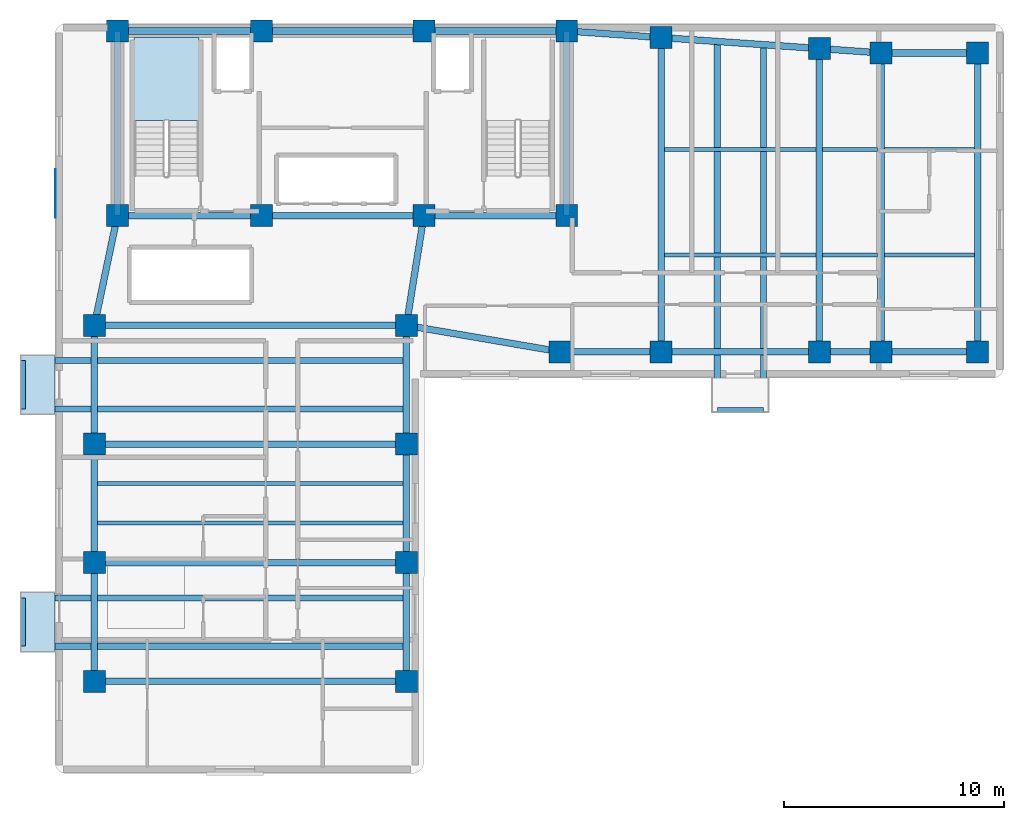
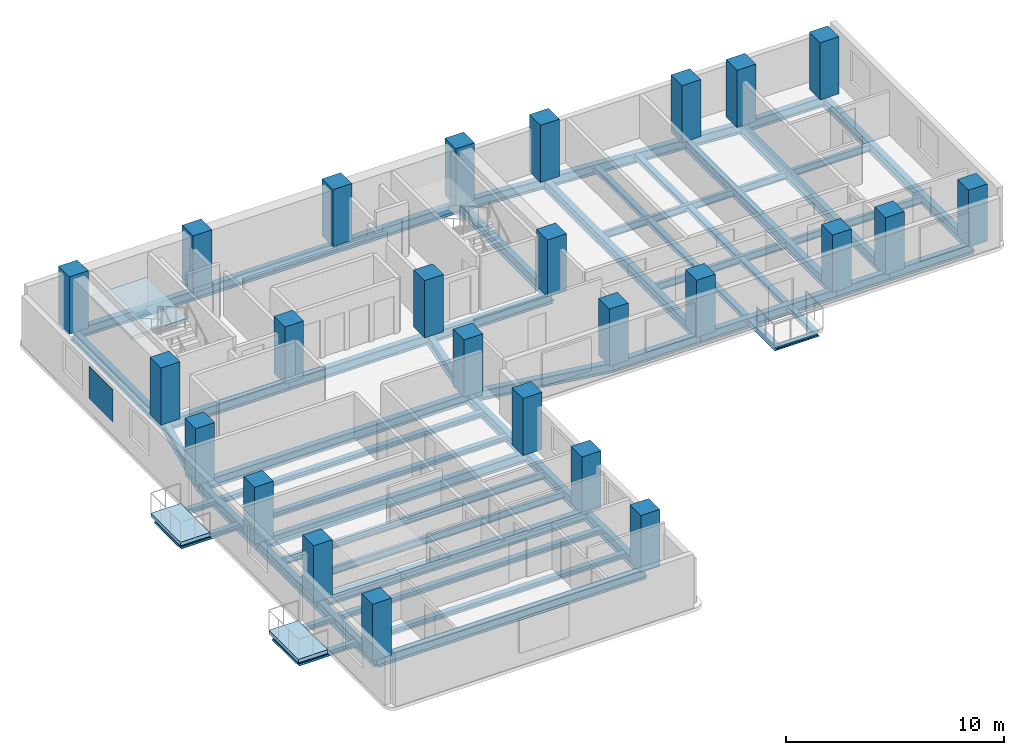
# One storey, part 1 of 7: 50 beams, 25 columns, 3 slabs, 1 plate, 1 element without a shape of its own.
"""IFC4 building model written with IfcOpenShell, lengths in metres."""

from ifc_helpers import new_model, si_unit, direction, frame, origin, origin_2d, place, context, subcontext, project, spatial, polyline, rectangle, i_section, outline, extrude, material, layer, layer_set, material_profile, profile_set, type_object, element, aggregate, save


model = new_model("IFC4")

# Units and contexts
model_context = context("Model", 3, precision=1e-05, world=origin(), true_north=direction((0.0, 1.0)))
body_context = subcontext(model_context, "Body", "Model", "MODEL_VIEW")
ifc_project = project(units=[si_unit("LENGTHUNIT", "METRE"), si_unit("AREAUNIT", "SQUARE_METRE"), si_unit("VOLUMEUNIT", "CUBIC_METRE"), si_unit("PLANEANGLEUNIT", "RADIAN"), si_unit("MASSUNIT", "GRAM", prefix="KILO")], contexts=[model_context])

# Site, building, storey
site_placement = place(None, origin())
site = spatial("IfcSite", under=ifc_project, at=site_placement, CompositionType="ELEMENT")
building_placement = place(site_placement, origin())
building = spatial("IfcBuilding", under=site, at=building_placement, Name="Kuzgunbayir Cultural Tower", CompositionType="ELEMENT")
storey_placement = place(building_placement, frame((0.0, 0.0, 136.199951171875)))
storey = spatial("IfcBuildingStorey", under=building, at=storey_placement, Name="L39", CompositionType="ELEMENT", Elevation=136.199951171875)

# Columns
ifc_material_1 = material(Name="Concrete C50/60", Category="concrete")
ifc_material_profile_1 = material_profile(ifc_material_1, rectangle(XDim=1.0, YDim=1.0, at=origin_2d()), Name="RC 1000x1000")
ifc_profile_set_1 = profile_set([ifc_material_profile_1], Name="Concrete C50/60")
column_type_1 = type_object("IfcColumnType", Name="COL-CORE-1000", PredefinedType="COLUMN", material=ifc_profile_set_1)
for number, where, z_axis, x_axis, name in (
    (1, (6.449951171875, 33.800048828125, 0.0), (0.0, 0.0, 1.0), (1.0, 0.0, 0.0), "L39 T1 Core Boundary Column CC1-1"),
    (2, (13.0, 33.800048828125, 0.0), (0.0, 0.0, 1.0), (1.0, 0.0, 0.0), "L39 T1 Core Boundary Column CC1-2"),
    (3, (20.39990234375, 33.800048828125, 0.0), (0.0, 0.0, 1.0), (1.0, 0.0, 0.0), "L39 T1 Core Boundary Column CC1-3"),
    (4, (26.89990234375, 33.800048828125, 0.0), (0.0, 0.0, 1.0), (1.0, 0.0, 0.0), "L39 T1 Core Boundary Column CC1-4"),
    (5, (6.449951171875, 42.199951171875, 0.0), (0.0, 0.0, 1.0), (1.0, 0.0, 0.0), "L39 T1 Core Boundary Column CC1-5"),
    (6, (13.0, 42.199951171875, 0.0), (0.0, 0.0, 1.0), (1.0, 0.0, 0.0), "L39 T1 Core Boundary Column CC1-6"),
    (7, (20.39990234375, 42.199951171875, 0.0), (0.0, 0.0, 1.0), (1.0, 0.0, 0.0), "L39 T1 Core Boundary Column CC1-7"),
    (8, (26.89990234375, 42.199951171875, 0.0), (0.0, 0.0, 1.0), (1.0, 0.0, 0.0), "L39 T1 Core Boundary Column CC1-8"),
):
    element("IfcColumn", number, at=place(storey_placement, frame(where, z_axis=z_axis, x_axis=x_axis)), inside=storey, type_object=column_type_1, Name=name, PredefinedType="COLUMN", context=body_context, shape_type="SweptSolid", body=[
        extrude(rectangle(XDim=1.0, YDim=1.0, at=origin_2d()), origin(), (0.0, 0.0, 1.0), 3.199951171875),
    ])
ifc_material_profile_2 = material_profile(ifc_material_1, rectangle(XDim=1.0, YDim=1.0, at=origin_2d()), Name="RC 1000x1000")
ifc_profile_set_2 = profile_set([ifc_material_profile_2], Name="Concrete C50/60")
column_type_2 = type_object("IfcColumnType", Name="COL-T1-1000", PredefinedType="COLUMN", material=ifc_profile_set_2)
for number, where, z_axis, x_axis, name in (
    (9, (5.39990234375, 12.60009765625, 0.0), (0.0, 0.0, 1.0), (1.0, 0.0, 0.0), "L39 Tower 1 Wing A Column T1A-W-1"),
    (10, (19.60009765625, 12.60009765625, 0.0), (0.0, 0.0, 1.0), (1.0, 0.0, 0.0), "L39 Tower 1 Wing A Column T1A-E-1"),
    (11, (5.39990234375, 18.0, 0.0), (0.0, 0.0, 1.0), (1.0, 0.0, 0.0), "L39 Tower 1 Wing A Column T1A-W-2"),
    (12, (19.60009765625, 18.0, 0.0), (0.0, 0.0, 1.0), (1.0, 0.0, 0.0), "L39 Tower 1 Wing A Column T1A-E-2"),
    (13, (5.39990234375, 23.39990234375, 0.0), (0.0, 0.0, 1.0), (1.0, 0.0, 0.0), "L39 Tower 1 Wing A Column T1A-W-3"),
    (14, (19.60009765625, 23.39990234375, 0.0), (0.0, 0.0, 1.0), (1.0, 0.0, 0.0), "L39 Tower 1 Wing A Column T1A-E-3"),
    (15, (5.39990234375, 28.800048828125, 0.0), (0.0, 0.0, 1.0), (1.0, 0.0, 0.0), "L39 Tower 1 Wing A Column T1A-W-4"),
    (16, (19.60009765625, 28.800048828125, 0.0), (0.0, 0.0, 1.0), (1.0, 0.0, 0.0), "L39 Tower 1 Wing A Column T1A-E-4"),
    (17, (26.60009765625, 27.60009765625, 0.0), (0.0, 0.0, 1.0), (1.0, 0.0, 0.0), "L39 Tower 1 Wing B Column T1B-1-1"),
    (18, (31.199951171875, 27.60009765625, 0.0), (0.0, 0.0, 1.0), (1.0, 0.0, 0.0), "L39 Tower 1 Wing B Column T1B-2-1"),
    (19, (31.199951171875, 41.89990234375, 0.0), (0.0, 0.0, 1.0), (1.0, 0.0, 0.0), "L39 Tower 1 Wing B Column T1B-2-2"),
    (20, (38.39990234375, 27.60009765625, 0.0), (0.0, 0.0, 1.0), (1.0, 0.0, 0.0), "L39 Tower 1 Wing B Column T1B-3-1"),
    (21, (38.39990234375, 41.39990234375, 0.0), (0.0, 0.0, 1.0), (1.0, 0.0, 0.0), "L39 Tower 1 Wing B Column T1B-3-2"),
    (22, (41.199951171875, 27.60009765625, 0.0), (0.0, 0.0, 1.0), (1.0, 0.0, 0.0), "L39 Tower 1 Wing B Column T1B-4-1"),
    (23, (41.199951171875, 41.199951171875, 0.0), (0.0, 0.0, 1.0), (1.0, 0.0, 0.0), "L39 Tower 1 Wing B Column T1B-4-2"),
    (24, (45.60009765625, 27.60009765625, 0.0), (0.0, 0.0, 1.0), (1.0, 0.0, 0.0), "L39 Tower 1 Wing B Column T1B-5-1"),
    (25, (45.60009765625, 41.199951171875, 0.0), (0.0, 0.0, 1.0), (1.0, 0.0, 0.0), "L39 Tower 1 Wing B Column T1B-5-2"),
):
    element("IfcColumn", number, at=place(storey_placement, frame(where, z_axis=z_axis, x_axis=x_axis)), inside=storey, type_object=column_type_2, Name=name, PredefinedType="COLUMN", context=body_context, shape_type="SweptSolid", body=[
        extrude(rectangle(XDim=1.0, YDim=1.0, at=origin_2d()), origin(), (0.0, 0.0, 1.0), 3.199951171875),
    ])

# Beams
ifc_material_2 = material(Name="Steel S355J2", Category="steel")
ifc_material_profile_3 = material_profile(ifc_material_2, i_section(OverallWidth=0.280029296875, OverallDepth=0.280029296875, WebThickness=0.010498046875, FlangeThickness=0.01806640625, FilletRadius=0.02392578125, at=origin_2d()), Name="HEB 280")
ifc_profile_set_3 = profile_set([ifc_material_profile_3], Name="Steel S355J2")
beam_type_1 = type_object("IfcBeamType", Name="BM-BAL-HEB280", PredefinedType="BEAM", material=ifc_profile_set_3)
for number, where, z_axis, x_axis, name in (
    (26, (2.159912109375, 14.199951171875, -0.33984375), (1.0, 0.0, 0.0), (0.0, 1.0, 0.0), "L39 Balcony Outrigger Beam BAL-L39-WA1.1"),
    (27, (2.159912109375, 16.39990234375, -0.33984375), (1.0, 0.0, 0.0), (0.0, 1.0, 0.0), "L39 Balcony Outrigger Beam BAL-L39-WA1.2"),
    (28, (2.159912109375, 25.0, -0.33984375), (1.0, 0.0, 0.0), (0.0, 1.0, 0.0), "L39 Balcony Outrigger Beam BAL-L39-WA3.1"),
    (29, (2.159912109375, 27.199951171875, -0.33984375), (1.0, 0.0, 0.0), (0.0, 1.0, 0.0), "L39 Balcony Outrigger Beam BAL-L39-WA3.2"),
):
    element("IfcBeam", number, at=place(storey_placement, frame(where, z_axis=z_axis, x_axis=x_axis)), inside=storey, type_object=beam_type_1, Name=name, PredefinedType="BEAM", context=body_context, shape_type="SweptSolid", body=[
        extrude(i_section(OverallWidth=0.280029296875, OverallDepth=0.280029296875, WebThickness=0.010498046875, FlangeThickness=0.01806640625, FilletRadius=0.02392578125, at=origin_2d()), origin(), (0.0, 0.0, 1.0), 17.440185546875),
    ])
beam_1_placement = place(storey_placement, frame((33.75, 24.9599609375, -0.33984375), z_axis=(0.0, 1.0, 0.0), x_axis=(-1.0, 0.0, 0.0)))
element("IfcBeam", 30, at=beam_1_placement, inside=storey, type_object=beam_type_1, Name="L39 Balcony Outrigger Beam BAL-L39-WB2.1", PredefinedType="BEAM", context=body_context, shape_type="SweptSolid", body=[
    extrude(i_section(OverallWidth=0.280029296875, OverallDepth=0.280029296875, WebThickness=0.010498046875, FlangeThickness=0.01806640625, FilletRadius=0.02392578125, at=origin_2d()), origin(), (0.0, 0.0, 1.0), 16.760009765625),
])
beam_2_placement = place(storey_placement, frame((35.85009765625, 24.9599609375, -0.33984375), z_axis=(0.0, 1.0, 0.0), x_axis=(-1.0, 0.0, 0.0)))
element("IfcBeam", 31, at=beam_2_placement, inside=storey, type_object=beam_type_1, Name="L39 Balcony Outrigger Beam BAL-L39-WB2.2", PredefinedType="BEAM", context=body_context, shape_type="SweptSolid", body=[
    extrude(i_section(OverallWidth=0.280029296875, OverallDepth=0.280029296875, WebThickness=0.010498046875, FlangeThickness=0.01806640625, FilletRadius=0.02392578125, at=origin_2d()), origin(), (0.0, 0.0, 1.0), 16.6201171875),
])
ifc_material_profile_4 = material_profile(ifc_material_2, i_section(OverallWidth=0.199951171875, OverallDepth=0.199951171875, WebThickness=0.009033203125, FlangeThickness=0.014892578125, FilletRadius=0.01806640625, at=origin_2d()), Name="HEB 200")
ifc_profile_set_4 = profile_set([ifc_material_profile_4], Name="Steel S355J2")
beam_type_2 = type_object("IfcBeamType", Name="BM-CAN-HEB200", PredefinedType="BEAM", material=ifc_profile_set_4)
for number, where, z_axis, x_axis, name in (
    (32, (2.159912109375, 14.199951171875, -0.300048828125), (0.0, 1.0, 0.0), (-1.0, 0.0, 0.0), "L39 Balcony Edge Header BAL-L39-WA1"),
    (33, (2.159912109375, 25.0, -0.300048828125), (0.0, 1.0, 0.0), (-1.0, 0.0, 0.0), "L39 Balcony Edge Header BAL-L39-WA3"),
):
    element("IfcBeam", number, at=place(storey_placement, frame(where, z_axis=z_axis, x_axis=x_axis)), inside=storey, type_object=beam_type_2, Name=name, PredefinedType="BEAM", context=body_context, shape_type="SweptSolid", body=[
        extrude(i_section(OverallWidth=0.199951171875, OverallDepth=0.199951171875, WebThickness=0.009033203125, FlangeThickness=0.014892578125, FilletRadius=0.01806640625, at=origin_2d()), origin(), (0.0, 0.0, 1.0), 2.199951171875),
    ])
beam_3_placement = place(storey_placement, frame((33.75, 24.9599609375, -0.300048828125), z_axis=(1.0, 0.0, 0.0), x_axis=(0.0, 1.0, 0.0)))
element("IfcBeam", 34, at=beam_3_placement, inside=storey, type_object=beam_type_2, Name="L39 Balcony Edge Header BAL-L39-WB2", PredefinedType="BEAM", context=body_context, shape_type="SweptSolid", body=[
    extrude(i_section(OverallWidth=0.199951171875, OverallDepth=0.199951171875, WebThickness=0.009033203125, FlangeThickness=0.014892578125, FilletRadius=0.01806640625, at=origin_2d()), origin(), (0.0, 0.0, 1.0), 2.10009765625),
])
ifc_material_profile_5 = material_profile(ifc_material_2, i_section(OverallWidth=0.300048828125, OverallDepth=0.550048828125, WebThickness=0.014892578125, FlangeThickness=0.029052734375, FilletRadius=0.027099609375, at=origin_2d()), Name="HEB 550")
ifc_profile_set_5 = profile_set([ifc_material_profile_5], Name="Steel S355J2")
beam_type_3 = type_object("IfcBeamType", Name="BM-EXT-HEB550", PredefinedType="BEAM", material=ifc_profile_set_5)
for number, where, z_axis, x_axis, name in (
    (35, (5.39990234375, 12.60009765625, -0.449951171875), (0.0, 1.0, 0.0), (-1.0, 0.0, 0.0), "L39 Wing A West Girder 1"),
    (36, (19.60009765625, 12.60009765625, -0.449951171875), (0.0, 1.0, 0.0), (-1.0, 0.0, 0.0), "L39 Wing A East Girder 1"),
    (37, (5.39990234375, 18.0, -0.449951171875), (0.0, 1.0, 0.0), (-1.0, 0.0, 0.0), "L39 Wing A West Girder 2"),
    (38, (19.60009765625, 18.0, -0.449951171875), (0.0, 1.0, 0.0), (-1.0, 0.0, 0.0), "L39 Wing A East Girder 2"),
):
    element("IfcBeam", number, at=place(storey_placement, frame(where, z_axis=z_axis, x_axis=x_axis)), inside=storey, type_object=beam_type_3, Name=name, PredefinedType="BEAM", context=body_context, shape_type="SweptSolid", body=[
        extrude(i_section(OverallWidth=0.300048828125, OverallDepth=0.550048828125, WebThickness=0.014892578125, FlangeThickness=0.029052734375, FilletRadius=0.027099609375, at=origin_2d()), origin(), (0.0, 0.0, 1.0), 5.39990234375),
    ])
for number, where, z_axis, x_axis, name in (
    (39, (5.39990234375, 23.39990234375, -0.449951171875), (0.0, 1.0, 0.0), (-1.0, 0.0, 0.0), "L39 Wing A West Girder 3"),
    (40, (19.60009765625, 23.39990234375, -0.449951171875), (0.0, 1.0, 0.0), (-1.0, 0.0, 0.0), "L39 Wing A East Girder 3"),
):
    element("IfcBeam", number, at=place(storey_placement, frame(where, z_axis=z_axis, x_axis=x_axis)), inside=storey, type_object=beam_type_3, Name=name, PredefinedType="BEAM", context=body_context, shape_type="SweptSolid", body=[
        extrude(i_section(OverallWidth=0.300048828125, OverallDepth=0.550048828125, WebThickness=0.014892578125, FlangeThickness=0.029052734375, FilletRadius=0.027099609375, at=origin_2d()), origin(), (0.0, 0.0, 1.0), 5.400146484375),
    ])
beam_4_placement = place(storey_placement, frame((26.60009765625, 27.60009765625, -0.449951171875), z_axis=(1.0, 0.0, 0.0), x_axis=(0.0, 1.0, 0.0)))
element("IfcBeam", 41, at=beam_4_placement, inside=storey, type_object=beam_type_3, Name="L39 Wing B South Girder 1", PredefinedType="BEAM", context=body_context, shape_type="SweptSolid", body=[
    extrude(i_section(OverallWidth=0.300048828125, OverallDepth=0.550048828125, WebThickness=0.014892578125, FlangeThickness=0.029052734375, FilletRadius=0.027099609375, at=origin_2d()), origin(), (0.0, 0.0, 1.0), 4.599853515625),
])
beam_5_placement = place(storey_placement, frame((26.89990234375, 42.199951171875, -0.449951171875), z_axis=(0.997574369175, -0.069608749203, 0.0), x_axis=(0.069608749203, 0.997574369175, 0.0)))
element("IfcBeam", 42, at=beam_5_placement, inside=storey, type_object=beam_type_3, Name="L39 Wing B North Girder 1", PredefinedType="BEAM", context=body_context, shape_type="SweptSolid", body=[
    extrude(i_section(OverallWidth=0.300048828125, OverallDepth=0.550048828125, WebThickness=0.014892578125, FlangeThickness=0.029052734375, FilletRadius=0.027099609375, at=origin_2d()), origin(), (0.0, 0.0, 1.0), 4.310546875),
])
beam_6_placement = place(storey_placement, frame((31.199951171875, 27.60009765625, -0.449951171875), z_axis=(1.0, 0.0, 0.0), x_axis=(0.0, 1.0, 0.0)))
element("IfcBeam", 43, at=beam_6_placement, inside=storey, type_object=beam_type_3, Name="L39 Wing B South Girder 2", PredefinedType="BEAM", context=body_context, shape_type="SweptSolid", body=[
    extrude(i_section(OverallWidth=0.300048828125, OverallDepth=0.550048828125, WebThickness=0.014892578125, FlangeThickness=0.029052734375, FilletRadius=0.027099609375, at=origin_2d()), origin(), (0.0, 0.0, 1.0), 7.199951171875),
])
beam_7_placement = place(storey_placement, frame((31.199951171875, 41.89990234375, -0.449951171875), z_axis=(0.997597388498, -0.069278066245, 0.0), x_axis=(0.069278066245, 0.997597388498, 0.0)))
element("IfcBeam", 44, at=beam_7_placement, inside=storey, type_object=beam_type_3, Name="L39 Wing B North Girder 2", PredefinedType="BEAM", context=body_context, shape_type="SweptSolid", body=[
    extrude(i_section(OverallWidth=0.300048828125, OverallDepth=0.550048828125, WebThickness=0.014892578125, FlangeThickness=0.029052734375, FilletRadius=0.027099609375, at=origin_2d()), origin(), (0.0, 0.0, 1.0), 7.21728515625),
])
beam_8_placement = place(storey_placement, frame((38.39990234375, 27.60009765625, -0.449951171875), z_axis=(1.0, 0.0, 0.0), x_axis=(0.0, 1.0, 0.0)))
element("IfcBeam", 45, at=beam_8_placement, inside=storey, type_object=beam_type_3, Name="L39 Wing B South Girder 3", PredefinedType="BEAM", context=body_context, shape_type="SweptSolid", body=[
    extrude(i_section(OverallWidth=0.300048828125, OverallDepth=0.550048828125, WebThickness=0.014892578125, FlangeThickness=0.029052734375, FilletRadius=0.027099609375, at=origin_2d()), origin(), (0.0, 0.0, 1.0), 2.800048828125),
])
beam_9_placement = place(storey_placement, frame((38.39990234375, 41.39990234375, -0.449951171875), z_axis=(0.997460024076, -0.071228508128, 0.0), x_axis=(0.071228508128, 0.997460024076, 0.0)))
element("IfcBeam", 46, at=beam_9_placement, inside=storey, type_object=beam_type_3, Name="L39 Wing B North Girder 3", PredefinedType="BEAM", context=body_context, shape_type="SweptSolid", body=[
    extrude(i_section(OverallWidth=0.300048828125, OverallDepth=0.550048828125, WebThickness=0.014892578125, FlangeThickness=0.029052734375, FilletRadius=0.027099609375, at=origin_2d()), origin(), (0.0, 0.0, 1.0), 2.80712890625),
])
for number, where, z_axis, x_axis, name in (
    (47, (41.199951171875, 27.60009765625, -0.449951171875), (1.0, 0.0, 0.0), (0.0, 1.0, 0.0), "L39 Wing B South Girder 4"),
    (48, (41.199951171875, 41.199951171875, -0.449951171875), (1.0, 0.0, 0.0), (0.0, 1.0, 0.0), "L39 Wing B North Girder 4"),
):
    element("IfcBeam", number, at=place(storey_placement, frame(where, z_axis=z_axis, x_axis=x_axis)), inside=storey, type_object=beam_type_3, Name=name, PredefinedType="BEAM", context=body_context, shape_type="SweptSolid", body=[
        extrude(i_section(OverallWidth=0.300048828125, OverallDepth=0.550048828125, WebThickness=0.014892578125, FlangeThickness=0.029052734375, FilletRadius=0.027099609375, at=origin_2d()), origin(), (0.0, 0.0, 1.0), 4.400146484375),
    ])
ifc_material_profile_6 = material_profile(ifc_material_2, i_section(OverallWidth=0.300048828125, OverallDepth=0.550048828125, WebThickness=0.014892578125, FlangeThickness=0.029052734375, FilletRadius=0.027099609375, at=origin_2d()), Name="HEB 550")
ifc_profile_set_6 = profile_set([ifc_material_profile_6], Name="Steel S355J2")
beam_type_4 = type_object("IfcBeamType", Name="BM-GIR-HEB550", PredefinedType="BEAM", material=ifc_profile_set_6)
beam_10_placement = place(storey_placement, frame((6.449951171875, 33.800048828125, -0.449951171875), z_axis=(1.0, 0.0, 0.0), x_axis=(0.0, 1.0, 0.0)))
element("IfcBeam", 49, at=beam_10_placement, inside=storey, type_object=beam_type_4, Name="L39 Core South Girder 1", PredefinedType="BEAM", context=body_context, shape_type="SweptSolid", body=[
    extrude(i_section(OverallWidth=0.300048828125, OverallDepth=0.550048828125, WebThickness=0.014892578125, FlangeThickness=0.029052734375, FilletRadius=0.027099609375, at=origin_2d()), origin(), (0.0, 0.0, 1.0), 6.550048828125),
])
beam_11_placement = place(storey_placement, frame((13.0, 33.800048828125, -0.449951171875), z_axis=(1.0, 0.0, 0.0), x_axis=(0.0, 1.0, 0.0)))
element("IfcBeam", 50, at=beam_11_placement, inside=storey, type_object=beam_type_4, Name="L39 Core South Girder 2", PredefinedType="BEAM", context=body_context, shape_type="SweptSolid", body=[
    extrude(i_section(OverallWidth=0.300048828125, OverallDepth=0.550048828125, WebThickness=0.014892578125, FlangeThickness=0.029052734375, FilletRadius=0.027099609375, at=origin_2d()), origin(), (0.0, 0.0, 1.0), 7.39990234375),
])
beam_12_placement = place(storey_placement, frame((20.39990234375, 33.800048828125, -0.449951171875), z_axis=(1.0, 0.0, 0.0), x_axis=(0.0, 1.0, 0.0)))
element("IfcBeam", 51, at=beam_12_placement, inside=storey, type_object=beam_type_4, Name="L39 Core South Girder 3", PredefinedType="BEAM", context=body_context, shape_type="SweptSolid", body=[
    extrude(i_section(OverallWidth=0.300048828125, OverallDepth=0.550048828125, WebThickness=0.014892578125, FlangeThickness=0.029052734375, FilletRadius=0.027099609375, at=origin_2d()), origin(), (0.0, 0.0, 1.0), 6.5),
])
beam_13_placement = place(storey_placement, frame((6.449951171875, 42.199951171875, -0.449951171875), z_axis=(1.0, 0.0, 0.0), x_axis=(0.0, 1.0, 0.0)))
element("IfcBeam", 52, at=beam_13_placement, inside=storey, type_object=beam_type_4, Name="L39 Core North Girder 1", PredefinedType="BEAM", context=body_context, shape_type="SweptSolid", body=[
    extrude(i_section(OverallWidth=0.300048828125, OverallDepth=0.550048828125, WebThickness=0.014892578125, FlangeThickness=0.029052734375, FilletRadius=0.027099609375, at=origin_2d()), origin(), (0.0, 0.0, 1.0), 6.550048828125),
])
beam_14_placement = place(storey_placement, frame((13.0, 42.199951171875, -0.449951171875), z_axis=(1.0, 0.0, 0.0), x_axis=(0.0, 1.0, 0.0)))
element("IfcBeam", 53, at=beam_14_placement, inside=storey, type_object=beam_type_4, Name="L39 Core North Girder 2", PredefinedType="BEAM", context=body_context, shape_type="SweptSolid", body=[
    extrude(i_section(OverallWidth=0.300048828125, OverallDepth=0.550048828125, WebThickness=0.014892578125, FlangeThickness=0.029052734375, FilletRadius=0.027099609375, at=origin_2d()), origin(), (0.0, 0.0, 1.0), 7.39990234375),
])
beam_15_placement = place(storey_placement, frame((20.39990234375, 42.199951171875, -0.449951171875), z_axis=(1.0, 0.0, 0.0), x_axis=(0.0, 1.0, 0.0)))
element("IfcBeam", 54, at=beam_15_placement, inside=storey, type_object=beam_type_4, Name="L39 Core North Girder 3", PredefinedType="BEAM", context=body_context, shape_type="SweptSolid", body=[
    extrude(i_section(OverallWidth=0.300048828125, OverallDepth=0.550048828125, WebThickness=0.014892578125, FlangeThickness=0.029052734375, FilletRadius=0.027099609375, at=origin_2d()), origin(), (0.0, 0.0, 1.0), 6.5),
])
for number, where, z_axis, x_axis, name in (
    (55, (6.449951171875, 33.800048828125, -0.449951171875), (0.0, 1.0, 0.0), (-1.0, 0.0, 0.0), "L39 Core West Edge Girder"),
    (56, (26.89990234375, 33.800048828125, -0.449951171875), (0.0, 1.0, 0.0), (-1.0, 0.0, 0.0), "L39 Core East Edge Girder"),
):
    element("IfcBeam", number, at=place(storey_placement, frame(where, z_axis=z_axis, x_axis=x_axis)), inside=storey, type_object=beam_type_4, Name=name, PredefinedType="BEAM", context=body_context, shape_type="SweptSolid", body=[
        extrude(i_section(OverallWidth=0.300048828125, OverallDepth=0.550048828125, WebThickness=0.014892578125, FlangeThickness=0.029052734375, FilletRadius=0.027099609375, at=origin_2d()), origin(), (0.0, 0.0, 1.0), 8.39990234375),
    ])
for number, where, z_axis, x_axis, name in (
    (57, (5.39990234375, 12.60009765625, -0.449951171875), (1.0, 0.0, 0.0), (0.0, 1.0, 0.0), "L39 Wing A Transverse Girder 1"),
    (58, (5.39990234375, 18.0, -0.449951171875), (1.0, 0.0, 0.0), (0.0, 1.0, 0.0), "L39 Wing A Transverse Girder 2"),
    (59, (5.39990234375, 23.39990234375, -0.449951171875), (1.0, 0.0, 0.0), (0.0, 1.0, 0.0), "L39 Wing A Transverse Girder 3"),
    (60, (5.39990234375, 28.800048828125, -0.449951171875), (1.0, 0.0, 0.0), (0.0, 1.0, 0.0), "L39 Wing A Transverse Girder 4"),
):
    element("IfcBeam", number, at=place(storey_placement, frame(where, z_axis=z_axis, x_axis=x_axis)), inside=storey, type_object=beam_type_4, Name=name, PredefinedType="BEAM", context=body_context, shape_type="SweptSolid", body=[
        extrude(i_section(OverallWidth=0.300048828125, OverallDepth=0.550048828125, WebThickness=0.014892578125, FlangeThickness=0.029052734375, FilletRadius=0.027099609375, at=origin_2d()), origin(), (0.0, 0.0, 1.0), 14.2001953125),
    ])
beam_16_placement = place(storey_placement, frame((5.39990234375, 28.800048828125, -0.449951171875), z_axis=(0.205526387753, 0.978651574329, 0.0), x_axis=(-0.978651574329, 0.205526387753, 0.0)))
element("IfcBeam", 61, at=beam_16_placement, inside=storey, type_object=beam_type_4, Name="L39 Wing A West Core Floor Girder", PredefinedType="BEAM", context=body_context, shape_type="SweptSolid", body=[
    extrude(i_section(OverallWidth=0.300048828125, OverallDepth=0.550048828125, WebThickness=0.014892578125, FlangeThickness=0.029052734375, FilletRadius=0.027099609375, at=origin_2d()), origin(), (0.0, 0.0, 1.0), 5.109130859375),
])
beam_17_placement = place(storey_placement, frame((19.60009765625, 28.800048828125, -0.449951171875), z_axis=(0.157952891656, 0.987446648694, 0.0), x_axis=(-0.987446648694, 0.157952891656, 0.0)))
element("IfcBeam", 62, at=beam_17_placement, inside=storey, type_object=beam_type_4, Name="L39 Wing A East Core Floor Girder", PredefinedType="BEAM", context=body_context, shape_type="SweptSolid", body=[
    extrude(i_section(OverallWidth=0.300048828125, OverallDepth=0.550048828125, WebThickness=0.014892578125, FlangeThickness=0.029052734375, FilletRadius=0.027099609375, at=origin_2d()), origin(), (0.0, 0.0, 1.0), 5.0634765625),
])
beam_18_placement = place(storey_placement, frame((31.199951171875, 27.60009765625, -0.449951171875), z_axis=(0.0, 1.0, 0.0), x_axis=(-1.0, 0.0, 0.0)))
element("IfcBeam", 63, at=beam_18_placement, inside=storey, type_object=beam_type_4, Name="L39 Wing B Cross Girder 31", PredefinedType="BEAM", context=body_context, shape_type="SweptSolid", body=[
    extrude(i_section(OverallWidth=0.300048828125, OverallDepth=0.550048828125, WebThickness=0.014892578125, FlangeThickness=0.029052734375, FilletRadius=0.027099609375, at=origin_2d()), origin(), (0.0, 0.0, 1.0), 14.2998046875),
])
beam_19_placement = place(storey_placement, frame((38.39990234375, 27.60009765625, -0.449951171875), z_axis=(0.0, 1.0, 0.0), x_axis=(-1.0, 0.0, 0.0)))
element("IfcBeam", 64, at=beam_19_placement, inside=storey, type_object=beam_type_4, Name="L39 Wing B Cross Girder 38", PredefinedType="BEAM", context=body_context, shape_type="SweptSolid", body=[
    extrude(i_section(OverallWidth=0.300048828125, OverallDepth=0.550048828125, WebThickness=0.014892578125, FlangeThickness=0.029052734375, FilletRadius=0.027099609375, at=origin_2d()), origin(), (0.0, 0.0, 1.0), 13.7998046875),
])
for number, where, z_axis, x_axis, name in (
    (65, (41.199951171875, 27.60009765625, -0.449951171875), (0.0, 1.0, 0.0), (-1.0, 0.0, 0.0), "L39 Wing B Cross Girder 41"),
    (66, (45.60009765625, 27.60009765625, -0.449951171875), (0.0, 1.0, 0.0), (-1.0, 0.0, 0.0), "L39 Wing B Cross Girder 45"),
):
    element("IfcBeam", number, at=place(storey_placement, frame(where, z_axis=z_axis, x_axis=x_axis)), inside=storey, type_object=beam_type_4, Name=name, PredefinedType="BEAM", context=body_context, shape_type="SweptSolid", body=[
        extrude(i_section(OverallWidth=0.300048828125, OverallDepth=0.550048828125, WebThickness=0.014892578125, FlangeThickness=0.029052734375, FilletRadius=0.027099609375, at=origin_2d()), origin(), (0.0, 0.0, 1.0), 13.599853515625),
    ])
beam_20_placement = place(storey_placement, frame((19.60009765625, 28.800048828125, -0.449951171875), z_axis=(0.985623399742, -0.168957136221, 0.0), x_axis=(0.168957136221, 0.985623399742, 0.0)))
element("IfcBeam", 67, at=beam_20_placement, inside=storey, type_object=beam_type_4, Name="L39 Wing B Waist Tie Girder", PredefinedType="BEAM", context=body_context, shape_type="SweptSolid", body=[
    extrude(i_section(OverallWidth=0.300048828125, OverallDepth=0.550048828125, WebThickness=0.014892578125, FlangeThickness=0.029052734375, FilletRadius=0.027099609375, at=origin_2d()), origin(), (0.0, 0.0, 1.0), 7.10205078125),
])
ifc_material_profile_7 = material_profile(ifc_material_2, i_section(OverallWidth=0.179931640625, OverallDepth=0.39990234375, WebThickness=0.008544921875, FlangeThickness=0.013427734375, FilletRadius=0.02099609375, at=origin_2d()), Name="IPE 400")
ifc_profile_set_7 = profile_set([ifc_material_profile_7], Name="Steel S355J2")
beam_type_5 = type_object("IfcBeamType", Name="BM-JST-IPE400", PredefinedType="JOIST", material=ifc_profile_set_7)
for number, where, z_axis, x_axis, name in (
    (68, (5.550048828125, 19.800048828125, -0.3798828125), (1.0, 0.0, 0.0), (0.0, 1.0, 0.0), "L39 Wing A Secondary Joist 3"),
    (69, (5.550048828125, 21.60009765625, -0.3798828125), (1.0, 0.0, 0.0), (0.0, 1.0, 0.0), "L39 Wing A Secondary Joist 4"),
):
    element("IfcBeam", number, at=place(storey_placement, frame(where, z_axis=z_axis, x_axis=x_axis)), inside=storey, type_object=beam_type_5, Name=name, PredefinedType="JOIST", context=body_context, shape_type="SweptSolid", body=[
        extrude(i_section(OverallWidth=0.179931640625, OverallDepth=0.39990234375, WebThickness=0.008544921875, FlangeThickness=0.013427734375, FilletRadius=0.02099609375, at=origin_2d()), origin(), (0.0, 0.0, 1.0), 13.89990234375),
    ])
for number, where, z_axis, x_axis, name in (
    (70, (31.35009765625, 32.0, -0.3798828125), (1.0, 0.0, 0.0), (0.0, 1.0, 0.0), "L39 Wing B Secondary Joist 1.1"),
    (71, (31.35009765625, 36.800048828125, -0.3798828125), (1.0, 0.0, 0.0), (0.0, 1.0, 0.0), "L39 Wing B Secondary Joist 1.2"),
):
    element("IfcBeam", number, at=place(storey_placement, frame(where, z_axis=z_axis, x_axis=x_axis)), inside=storey, type_object=beam_type_5, Name=name, PredefinedType="JOIST", context=body_context, shape_type="SweptSolid", body=[
        extrude(i_section(OverallWidth=0.179931640625, OverallDepth=0.39990234375, WebThickness=0.008544921875, FlangeThickness=0.013427734375, FilletRadius=0.02099609375, at=origin_2d()), origin(), (0.0, 0.0, 1.0), 6.89990234375),
    ])
for number, where, z_axis, x_axis, name in (
    (72, (38.550048828125, 32.0, -0.3798828125), (1.0, 0.0, 0.0), (0.0, 1.0, 0.0), "L39 Wing B Secondary Joist 2.1"),
    (73, (38.550048828125, 36.800048828125, -0.3798828125), (1.0, 0.0, 0.0), (0.0, 1.0, 0.0), "L39 Wing B Secondary Joist 2.2"),
):
    element("IfcBeam", number, at=place(storey_placement, frame(where, z_axis=z_axis, x_axis=x_axis)), inside=storey, type_object=beam_type_5, Name=name, PredefinedType="JOIST", context=body_context, shape_type="SweptSolid", body=[
        extrude(i_section(OverallWidth=0.179931640625, OverallDepth=0.39990234375, WebThickness=0.008544921875, FlangeThickness=0.013427734375, FilletRadius=0.02099609375, at=origin_2d()), origin(), (0.0, 0.0, 1.0), 2.5),
    ])
for number, where, z_axis, x_axis, name in (
    (74, (41.35009765625, 32.0, -0.3798828125), (1.0, 0.0, 0.0), (0.0, 1.0, 0.0), "L39 Wing B Secondary Joist 3.1"),
    (75, (41.35009765625, 36.800048828125, -0.3798828125), (1.0, 0.0, 0.0), (0.0, 1.0, 0.0), "L39 Wing B Secondary Joist 3.2"),
):
    element("IfcBeam", number, at=place(storey_placement, frame(where, z_axis=z_axis, x_axis=x_axis)), inside=storey, type_object=beam_type_5, Name=name, PredefinedType="JOIST", context=body_context, shape_type="SweptSolid", body=[
        extrude(i_section(OverallWidth=0.179931640625, OverallDepth=0.39990234375, WebThickness=0.008544921875, FlangeThickness=0.013427734375, FilletRadius=0.02099609375, at=origin_2d()), origin(), (0.0, 0.0, 1.0), 4.099853515625),
    ])

# Plate
ifc_material_3 = material(Name="Perforated Bronze-Anodised Aluminium", Category="aluminium")
ifc_layer_1 = layer(ifc_material_3, 0.02392578125)
ifc_layer_set_1 = layer_set([ifc_layer_1], Name="Perforated Bronze-Anodised Aluminium")
plate_type = type_object("IfcPlateType", Name="PLT-SOLAR-SCREEN-14", PredefinedType="SHEET", material=ifc_layer_set_1)
plate_placement = place(storey_placement, frame((3.639892578125, 34.800048828125, 0.75), z_axis=(0.0, 0.0, 1.0), x_axis=(1.0, 0.0, 0.0)))
element("IfcPlate", 76, at=plate_placement, inside=storey, type_object=plate_type, Name="L39 Tower 1 Perforated Ceramic Solar Screen Panel", PredefinedType="SHEET", context=body_context, shape_type="SweptSolid", body=[
    extrude(rectangle(XDim=0.02392578125, YDim=2.199951171875, at=origin_2d()), origin(), (0.0, 0.0, 1.0), 1.800048828125),
])

# Slabs
ifc_material_4 = material(Name="Concrete C40/50", Category="concrete")
ifc_layer_2 = layer(ifc_material_4, 0.199951171875)
ifc_layer_set_2 = layer_set([ifc_layer_2], Name="Concrete C40/50")
slab_type_1 = type_object("IfcSlabType", Name="SLB-BAL-STONE", PredefinedType="FLOOR", material=ifc_layer_set_2)
slab_1_placement = place(storey_placement, frame((0.0, 0.0, -0.199951171875)))
element("IfcSlab", 77, at=slab_1_placement, inside=storey, type_object=slab_type_1, Name="L39 Projecting Limestone Balcony BAL-L39-WA1", PredefinedType="FLOOR", context=body_context, shape_type="SweptSolid", body=[
    extrude(outline(polyline([(2.0400390625, 13.949951171875), (3.60009765625, 13.949951171875), (3.60009765625, 16.64990234375), (2.0400390625, 16.64990234375), (2.0400390625, 13.949951171875)])), origin(), (0.0, 0.0, 1.0), 0.199951171875),
])
slab_2_placement = place(storey_placement, frame((0.0, 0.0, -0.199951171875)))
element("IfcSlab", 78, at=slab_2_placement, inside=storey, type_object=slab_type_1, Name="L39 Projecting Limestone Balcony BAL-L39-WA3", PredefinedType="FLOOR", context=body_context, shape_type="SweptSolid", body=[
    extrude(outline(polyline([(2.0400390625, 24.75), (3.60009765625, 24.75), (3.60009765625, 27.449951171875), (2.0400390625, 27.449951171875), (2.0400390625, 24.75)])), origin(), (0.0, 0.0, 1.0), 0.199951171875),
])

# Stair, slab
stair_type = type_object("IfcStairType", Name="STR-EXIT-CORE", PredefinedType="HALF_TURN_STAIR", material=ifc_material_4)
stair_placement = place(storey_placement, origin())
stair = element("IfcStair", 79, at=stair_placement, inside=storey, type_object=stair_type, Name="L39 ST-1", PredefinedType="HALF_TURN_STAIR")
ifc_layer_3 = layer(ifc_material_4, 0.179931640625)
ifc_layer_set_3 = layer_set([ifc_layer_3], Name="Concrete C40/50")
slab_type_2 = type_object("IfcSlabType", Name="SLB-LANDING-180", PredefinedType="LANDING", material=ifc_layer_set_3)
slab_3_placement = place(storey_placement, frame((0.0, 0.0, 1.400146484375)))
slab_3 = element("IfcSlab", 80, at=slab_3_placement, type_object=slab_type_2, Name="ST-1 landing 1", PredefinedType="LANDING", context=body_context, shape_type="SweptSolid", body=[
    extrude(outline(polyline([(10.159912109375, 38.1201171875), (10.159912109375, 41.89990234375), (7.199951171875, 41.89990234375), (7.199951171875, 38.1201171875), (10.159912109375, 38.1201171875)])), origin(), (0.0, 0.0, 1.0), 0.199951171875),
])
aggregate(stair, [slab_3])

save(model, "model.ifc")
